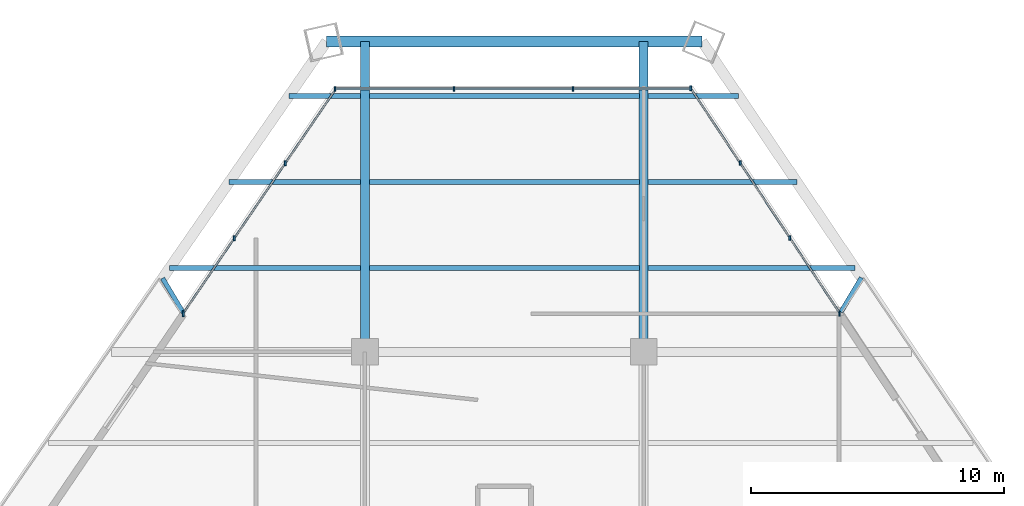
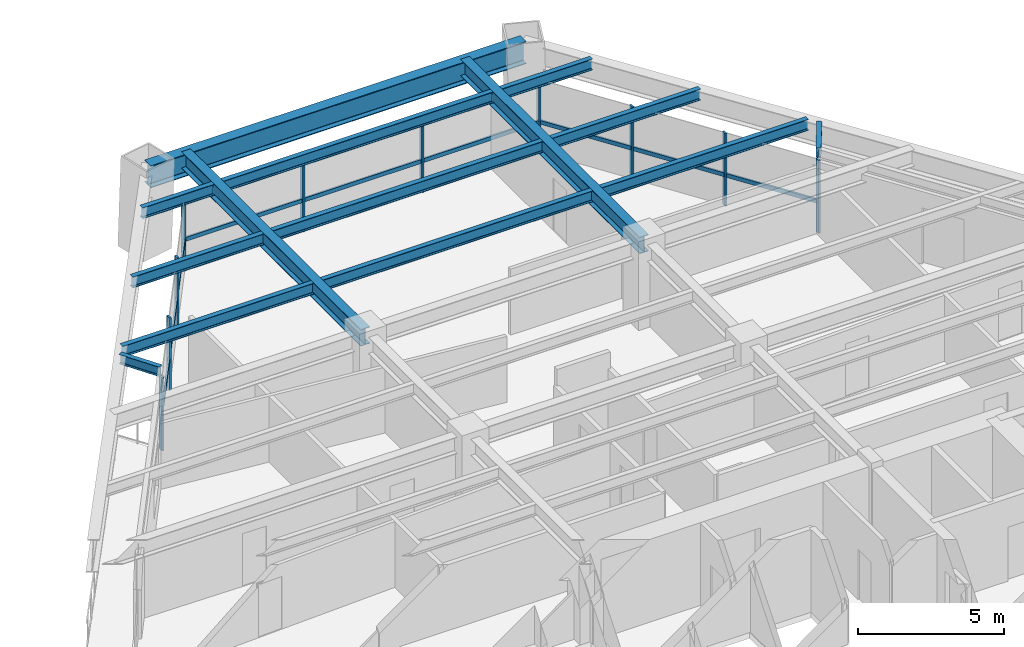
# One storey, part 8 of 14: 20 members, 14 beams, 3 elements without a shape of their own.
"""IFC4 building model written with IfcOpenShell, lengths in metres."""

from ifc_helpers import new_model, si_unit, direction, frame, origin, origin_2d, place, context, subcontext, project, spatial, rectangle, i_section, extrude, source, transform, mapped, material, material_profile, profile_set, type_object, type_shapes, element, aggregate, save


model = new_model("IFC4")

# Units and contexts
model_context = context("Model", 3, precision=1e-05, world=origin(), true_north=direction((0.0, 1.0)))
body_context = subcontext(model_context, "Body", "Model", "MODEL_VIEW")
ifc_project = project(units=[si_unit("LENGTHUNIT", "METRE"), si_unit("AREAUNIT", "SQUARE_METRE"), si_unit("VOLUMEUNIT", "CUBIC_METRE"), si_unit("PLANEANGLEUNIT", "RADIAN"), si_unit("MASSUNIT", "GRAM", prefix="KILO")], contexts=[model_context])

# Site, building, storey
site_placement = place(None, origin())
site = spatial("IfcSite", under=ifc_project, at=site_placement, CompositionType="ELEMENT")
building_placement = place(site_placement, origin())
building = spatial("IfcBuilding", under=site, at=building_placement, Name="Varnakhor Terracotta Tower", CompositionType="ELEMENT")
storey_placement = place(building_placement, frame((0.0, 0.0, 60.800048828125)))
storey = spatial("IfcBuildingStorey", under=building, at=storey_placement, Name="L14", CompositionType="ELEMENT", Elevation=60.800048828125)

# Beams
ifc_material_1 = material(Name="Steel S355", Category="steel")
ifc_material_profile_1 = material_profile(ifc_material_1, i_section(OverallWidth=0.19189453125, OverallDepth=0.462890625, WebThickness=0.010498046875, FlangeThickness=0.017578125, FilletRadius=0.01806640625, at=origin_2d()), Name="W18X60")
ifc_profile_set_1 = profile_set([ifc_material_profile_1], Name="Steel S355")
beam_type_1 = type_object("IfcBeamType", Name="JST-W18X60", PredefinedType="JOIST", material=ifc_profile_set_1)
shared_shape_1 = source(origin(), body_context, "Body", "SweptSolid", [
    extrude(i_section(OverallWidth=0.19189453125, OverallDepth=0.462890625, WebThickness=0.010498046875, FlangeThickness=0.017578125, FilletRadius=0.01806640625, at=origin_2d()), origin(), (0.0, 0.0, 1.0), 10.65283203125),
])
for number, where, z_axis, x_axis, name in (
    (1, (-5.326416015625, 34.800048828125, 3.218505859375), (1.0, 0.0, 0.0), (0.0, 1.0, 0.0), "L14 Composite Floor Joist 7-2"),
    (2, (-5.326416015625, 38.199951171875, 3.218505859375), (1.0, 0.0, 0.0), (0.0, 1.0, 0.0), "L14 Composite Floor Joist 8-2"),
    (3, (-5.326416015625, 41.60009765625, 3.218505859375), (1.0, 0.0, 0.0), (0.0, 1.0, 0.0), "L14 Composite Floor Joist 9-2"),
):
    element("IfcBeam", number, at=place(storey_placement, frame(where, z_axis=z_axis, x_axis=x_axis)), inside=storey, type_object=beam_type_1, Name=name, PredefinedType="JOIST", context=body_context, shape_type="MappedRepresentation", body=[
        mapped(shared_shape_1, transform((0.0, 0.0, 0.0), scale=1.0)),
    ])
ifc_material_profile_2 = material_profile(ifc_material_1, i_section(OverallWidth=0.41796875, OverallDepth=0.927001953125, WebThickness=0.01904296875, FlangeThickness=0.031982421875, FilletRadius=0.01806640625, at=origin_2d()), Name="W36X231")
ifc_profile_set_2 = profile_set([ifc_material_profile_2], Name="Steel S355")
beam_type_2 = type_object("IfcBeamType", Name="BM-W36X231", PredefinedType="BEAM", material=ifc_profile_set_2)
shared_shape_2 = source(origin(), body_context, "Body", "SweptSolid", [
    extrude(i_section(OverallWidth=0.41796875, OverallDepth=0.927001953125, WebThickness=0.01904296875, FlangeThickness=0.031982421875, FilletRadius=0.01806640625, at=origin_2d()), origin(), (0.0, 0.0, 1.0), 14.810546875),
])
beam_1_placement = place(storey_placement, frame((7.797119140625, 43.743896484375, 2.986572265625), z_axis=(-1.0, 0.0, 0.0), x_axis=(0.0, -1.0, 0.0)))
element("IfcBeam", 4, at=beam_1_placement, inside=storey, type_object=beam_type_2, Name="L14 Perimeter Spandrel 5", PredefinedType="BEAM", context=body_context, shape_type="MappedRepresentation", body=[
    mapped(shared_shape_2, transform((0.0, 0.0, 0.0), scale=1.0)),
])
ifc_material_profile_3 = material_profile(ifc_material_1, i_section(OverallWidth=0.35498046875, OverallDepth=0.695068359375, WebThickness=0.014892578125, FlangeThickness=0.02490234375, FilletRadius=0.01806640625, at=origin_2d()), Name="W27X146")
ifc_profile_set_3 = profile_set([ifc_material_profile_3], Name="Steel S355")
beam_type_3 = type_object("IfcBeamType", Name="BM-W27X146", PredefinedType="BEAM", material=ifc_profile_set_3)
shared_shape_3 = source(origin(), body_context, "Body", "SweptSolid", [
    extrude(i_section(OverallWidth=0.35498046875, OverallDepth=0.695068359375, WebThickness=0.014892578125, FlangeThickness=0.02490234375, FilletRadius=0.01806640625, at=origin_2d()), origin(), (0.0, 0.0, 1.0), 12.243896484375),
])
for number, where, z_axis, x_axis, name in (
    (5, (-5.5, 31.5, 3.1025390625), (0.0, 1.0, 0.0), (-1.0, 0.0, 0.0), "L14 Primary Girder NS3-W"),
    (6, (5.5, 31.5, 3.1025390625), (0.0, 1.0, 0.0), (-1.0, 0.0, 0.0), "L14 Primary Girder NS3-E"),
):
    element("IfcBeam", number, at=place(storey_placement, frame(where, z_axis=z_axis, x_axis=x_axis)), inside=storey, type_object=beam_type_3, Name=name, PredefinedType="BEAM", context=body_context, shape_type="MappedRepresentation", body=[
        mapped(shared_shape_3, transform((0.0, 0.0, 0.0), scale=1.0)),
    ])
shared_shape_4 = source(origin(), body_context, "Body", "SweptSolid", [
    extrude(i_section(OverallWidth=0.19189453125, OverallDepth=0.462890625, WebThickness=0.010498046875, FlangeThickness=0.017578125, FilletRadius=0.01806640625, at=origin_2d()), origin(), (0.0, 0.0, 1.0), 7.538818359375),
])
beam_2_placement = place(storey_placement, frame((-13.21240234375, 34.800048828125, 3.218505859375), z_axis=(1.0, 0.0, 0.0), x_axis=(0.0, 1.0, 0.0)))
element("IfcBeam", 7, at=beam_2_placement, inside=storey, type_object=beam_type_1, Name="L14 Composite Floor Joist 7-1", PredefinedType="JOIST", context=body_context, shape_type="MappedRepresentation", body=[
    mapped(shared_shape_4, transform((0.0, 0.0, 0.0), scale=1.0)),
])
shared_shape_5 = source(origin(), body_context, "Body", "SweptSolid", [
    extrude(i_section(OverallWidth=0.19189453125, OverallDepth=0.462890625, WebThickness=0.010498046875, FlangeThickness=0.017578125, FilletRadius=0.01806640625, at=origin_2d()), origin(), (0.0, 0.0, 1.0), 8.162109375),
])
beam_3_placement = place(storey_placement, frame((5.673583984375, 34.800048828125, 3.218505859375), z_axis=(1.0, 0.0, 0.0), x_axis=(0.0, 1.0, 0.0)))
element("IfcBeam", 8, at=beam_3_placement, inside=storey, type_object=beam_type_1, Name="L14 Composite Floor Joist 7-3", PredefinedType="JOIST", context=body_context, shape_type="MappedRepresentation", body=[
    mapped(shared_shape_5, transform((0.0, 0.0, 0.0), scale=1.0)),
])
shared_shape_6 = source(origin(), body_context, "Body", "SweptSolid", [
    extrude(i_section(OverallWidth=0.19189453125, OverallDepth=0.462890625, WebThickness=0.010498046875, FlangeThickness=0.017578125, FilletRadius=0.01806640625, at=origin_2d()), origin(), (0.0, 0.0, 1.0), 5.18212890625),
])
beam_4_placement = place(storey_placement, frame((-10.855712890625, 38.199951171875, 3.218505859375), z_axis=(1.0, 0.0, 0.0), x_axis=(0.0, 1.0, 0.0)))
element("IfcBeam", 9, at=beam_4_placement, inside=storey, type_object=beam_type_1, Name="L14 Composite Floor Joist 8-1", PredefinedType="JOIST", context=body_context, shape_type="MappedRepresentation", body=[
    mapped(shared_shape_6, transform((0.0, 0.0, 0.0), scale=1.0)),
])
shared_shape_7 = source(origin(), body_context, "Body", "SweptSolid", [
    extrude(i_section(OverallWidth=0.19189453125, OverallDepth=0.462890625, WebThickness=0.010498046875, FlangeThickness=0.017578125, FilletRadius=0.01806640625, at=origin_2d()), origin(), (0.0, 0.0, 1.0), 5.86669921875),
])
beam_5_placement = place(storey_placement, frame((5.673583984375, 38.199951171875, 3.218505859375), z_axis=(1.0, 0.0, 0.0), x_axis=(0.0, 1.0, 0.0)))
element("IfcBeam", 10, at=beam_5_placement, inside=storey, type_object=beam_type_1, Name="L14 Composite Floor Joist 8-3", PredefinedType="JOIST", context=body_context, shape_type="MappedRepresentation", body=[
    mapped(shared_shape_7, transform((0.0, 0.0, 0.0), scale=1.0)),
])
shared_shape_8 = source(origin(), body_context, "Body", "SweptSolid", [
    extrude(i_section(OverallWidth=0.19189453125, OverallDepth=0.462890625, WebThickness=0.010498046875, FlangeThickness=0.017578125, FilletRadius=0.01806640625, at=origin_2d()), origin(), (0.0, 0.0, 1.0), 2.82568359375),
])
beam_6_placement = place(storey_placement, frame((-8.499267578125, 41.60009765625, 3.218505859375), z_axis=(1.0, 0.0, 0.0), x_axis=(0.0, 1.0, 0.0)))
element("IfcBeam", 11, at=beam_6_placement, inside=storey, type_object=beam_type_1, Name="L14 Composite Floor Joist 9-1", PredefinedType="JOIST", context=body_context, shape_type="MappedRepresentation", body=[
    mapped(shared_shape_8, transform((0.0, 0.0, 0.0), scale=1.0)),
])
shared_shape_9 = source(origin(), body_context, "Body", "SweptSolid", [
    extrude(i_section(OverallWidth=0.19189453125, OverallDepth=0.462890625, WebThickness=0.010498046875, FlangeThickness=0.017578125, FilletRadius=0.01806640625, at=origin_2d()), origin(), (0.0, 0.0, 1.0), 3.571044921875),
])
beam_7_placement = place(storey_placement, frame((5.673583984375, 41.60009765625, 3.218505859375), z_axis=(1.0, 0.0, 0.0), x_axis=(0.0, 1.0, 0.0)))
element("IfcBeam", 12, at=beam_7_placement, inside=storey, type_object=beam_type_1, Name="L14 Composite Floor Joist 9-3", PredefinedType="JOIST", context=body_context, shape_type="MappedRepresentation", body=[
    mapped(shared_shape_9, transform((0.0, 0.0, 0.0), scale=1.0)),
])

# Curtain wall, members
ifc_material_2 = material(Name="Anodised Aluminium Curtain Wall System", Category="aluminium")
curtain_wall_type = type_object("IfcCurtainWallType", Name="CW-SYS-LOW-OFFICE", PredefinedType="NOTDEFINED", material=ifc_material_2)
curtain_wall_1_placement = place(storey_placement, origin())
curtain_wall_1 = element("IfcCurtainWall", 13, at=curtain_wall_1_placement, inside=storey, type_object=curtain_wall_type, Name="L14 W Facet Curtain Wall 2", PredefinedType="NOTDEFINED")
ifc_material_3 = material(Name="Anodised Aluminium 6063-T6", Category="aluminium")
ifc_material_profile_4 = material_profile(ifc_material_3, rectangle(XDim=0.074951171875, YDim=0.18505859375, at=origin_2d()), Name="ALU MULLION 75x185")
ifc_profile_set_4 = profile_set([ifc_material_profile_4], Name="Anodised Aluminium 6063-T6")
member_type_1 = type_object("IfcMemberType", Name="CWM-02", PredefinedType="MULLION", material=ifc_profile_set_4)
shared_shape_10 = source(origin(), body_context, "Body", "SweptSolid", [
    extrude(rectangle(XDim=0.074951171875, YDim=0.18505859375, at=origin_2d()), origin(), (0.0, 0.0, 1.0), 3.030029296875),
])
type_shapes(member_type_1, [shared_shape_10])
member_1_placement = place(storey_placement, frame((-12.6689453125, 33.02001953125, 0.0), z_axis=(0.0, 0.0, 1.0), x_axis=(1.0, 0.0, 0.0)))
member_1 = element("IfcMember", 14, at=member_1_placement, type_object=member_type_1, Name="L14 W Facet Curtain Wall 2 Mullion 1", PredefinedType="MULLION", context=body_context, shape_type="MappedRepresentation", body=[
    mapped(shared_shape_10, transform((0.0, 0.0, 0.0), scale=1.0)),
])
member_2_placement = place(storey_placement, frame((-10.656005859375, 35.98046875, 0.0), z_axis=(0.0, 0.0, 1.0), x_axis=(1.0, 0.0, 0.0)))
member_2 = element("IfcMember", 15, at=member_2_placement, type_object=member_type_1, Name="L14 W Facet Curtain Wall 2 Mullion 2", PredefinedType="MULLION", context=body_context, shape_type="MappedRepresentation", body=[
    mapped(shared_shape_10, transform((0.0, 0.0, 0.0), scale=1.0)),
])
member_3_placement = place(storey_placement, frame((-8.642822265625, 38.940673828125, 0.0), z_axis=(0.0, 0.0, 1.0), x_axis=(1.0, 0.0, 0.0)))
member_3 = element("IfcMember", 16, at=member_3_placement, type_object=member_type_1, Name="L14 W Facet Curtain Wall 2 Mullion 3", PredefinedType="MULLION", context=body_context, shape_type="MappedRepresentation", body=[
    mapped(shared_shape_10, transform((0.0, 0.0, 0.0), scale=1.0)),
])
member_4_placement = place(storey_placement, frame((-12.66943359375, 32.98388671875, 0.0), z_axis=(0.0, 0.0, 1.0), x_axis=(1.0, 0.0, 0.0)))
member_4 = element("IfcMember", 17, at=member_4_placement, type_object=member_type_1, Name="L14 W Loggia Jamb Closure Mullion 2", PredefinedType="MULLION", context=body_context, shape_type="MappedRepresentation", body=[
    mapped(shared_shape_10, transform((0.0, 0.0, 0.0), scale=1.0)),
])

curtain_wall_2_placement = place(storey_placement, origin())
curtain_wall_2 = element("IfcCurtainWall", 18, at=curtain_wall_2_placement, inside=storey, type_object=curtain_wall_type, Name="L14 Facet Curtain Wall 2", PredefinedType="NOTDEFINED")
member_5_placement = place(storey_placement, frame((-6.681884765625, 41.873291015625, 0.0), z_axis=(0.0, 0.0, 1.0), x_axis=(1.0, 0.0, 0.0)))
member_5 = element("IfcMember", 19, at=member_5_placement, type_object=member_type_1, Name="L14 Facet Curtain Wall 2 Mullion 1", PredefinedType="MULLION", context=body_context, shape_type="MappedRepresentation", body=[
    mapped(shared_shape_10, transform((0.0, 0.0, 0.0), scale=1.0)),
])
member_6_placement = place(storey_placement, frame((-1.987060546875, 41.873291015625, 0.0), z_axis=(0.0, 0.0, 1.0), x_axis=(1.0, 0.0, 0.0)))
member_6 = element("IfcMember", 20, at=member_6_placement, type_object=member_type_1, Name="L14 Facet Curtain Wall 2 Mullion 2", PredefinedType="MULLION", context=body_context, shape_type="MappedRepresentation", body=[
    mapped(shared_shape_10, transform((0.0, 0.0, 0.0), scale=1.0)),
])
member_7_placement = place(storey_placement, frame((2.707763671875, 41.873291015625, 0.0), z_axis=(0.0, 0.0, 1.0), x_axis=(1.0, 0.0, 0.0)))
member_7 = element("IfcMember", 21, at=member_7_placement, type_object=member_type_1, Name="L14 Facet Curtain Wall 2 Mullion 3", PredefinedType="MULLION", context=body_context, shape_type="MappedRepresentation", body=[
    mapped(shared_shape_10, transform((0.0, 0.0, 0.0), scale=1.0)),
])

curtain_wall_3_placement = place(storey_placement, origin())
curtain_wall_3 = element("IfcCurtainWall", 22, at=curtain_wall_3_placement, inside=storey, type_object=curtain_wall_type, Name="L14 E Facet Curtain Wall 1", PredefinedType="NOTDEFINED")
member_8_placement = place(storey_placement, frame((7.34912109375, 41.902099609375, 0.0), z_axis=(0.0, 0.0, 1.0), x_axis=(1.0, 0.0, 0.0)))
member_8 = element("IfcMember", 23, at=member_8_placement, type_object=member_type_1, Name="L14 E Facet Curtain Wall 1 Mullion 1", PredefinedType="MULLION", context=body_context, shape_type="MappedRepresentation", body=[
    mapped(shared_shape_10, transform((0.0, 0.0, 0.0), scale=1.0)),
])
member_9_placement = place(storey_placement, frame((9.3076171875, 38.947509765625, 0.0), z_axis=(0.0, 0.0, 1.0), x_axis=(1.0, 0.0, 0.0)))
member_9 = element("IfcMember", 24, at=member_9_placement, type_object=member_type_1, Name="L14 E Facet Curtain Wall 1 Mullion 2", PredefinedType="MULLION", context=body_context, shape_type="MappedRepresentation", body=[
    mapped(shared_shape_10, transform((0.0, 0.0, 0.0), scale=1.0)),
])
member_10_placement = place(storey_placement, frame((11.26611328125, 35.992919921875, 0.0), z_axis=(0.0, 0.0, 1.0), x_axis=(1.0, 0.0, 0.0)))
member_10 = element("IfcMember", 25, at=member_10_placement, type_object=member_type_1, Name="L14 E Facet Curtain Wall 1 Mullion 3", PredefinedType="MULLION", context=body_context, shape_type="MappedRepresentation", body=[
    mapped(shared_shape_10, transform((0.0, 0.0, 0.0), scale=1.0)),
])
member_11_placement = place(storey_placement, frame((13.224609375, 33.002197265625, 0.0), z_axis=(0.0, 0.0, 1.0), x_axis=(1.0, 0.0, 0.0)))
member_11 = element("IfcMember", 26, at=member_11_placement, type_object=member_type_1, Name="L14 E Loggia Jamb Closure Mullion 1", PredefinedType="MULLION", context=body_context, shape_type="MappedRepresentation", body=[
    mapped(shared_shape_10, transform((0.0, 0.0, 0.0), scale=1.0)),
])

# Member
ifc_material_profile_5 = material_profile(ifc_material_3, rectangle(XDim=0.074951171875, YDim=0.1650390625, at=origin_2d()), Name="ALU TRANSOM 75x165")
ifc_profile_set_5 = profile_set([ifc_material_profile_5], Name="Anodised Aluminium 6063-T6")
member_type_2 = type_object("IfcMemberType", Name="CWT-02", PredefinedType="USERDEFINED", material=ifc_profile_set_5)
shared_shape_11 = source(origin(), body_context, "Body", "SweptSolid", [
    extrude(rectangle(XDim=0.074951171875, YDim=0.1650390625, at=origin_2d()), origin(), (0.0, 0.0, 1.0), 3.579833984375),
])
member_12_placement = place(storey_placement, frame((-10.656005859375, 35.98046875, 1.2724609375), z_axis=(0.562356654477, 0.826894789659, 0.0), x_axis=(-0.826894789659, 0.562356654477, 0.0)))
member_12 = element("IfcMember", 27, at=member_12_placement, type_object=member_type_2, Name="L14 W Facet Curtain Wall 2 Transom 2", ObjectType="TRANSOM", PredefinedType="USERDEFINED", context=body_context, shape_type="MappedRepresentation", body=[
    mapped(shared_shape_11, transform((0.0, 0.0, 0.0), scale=1.0)),
])

shared_shape_12 = source(origin(), body_context, "Body", "SweptSolid", [
    extrude(rectangle(XDim=0.074951171875, YDim=0.1650390625, at=origin_2d()), origin(), (0.0, 0.0, 1.0), 3.580078125),
])
member_13_placement = place(storey_placement, frame((-12.6689453125, 33.02001953125, 1.2724609375), z_axis=(0.562278310471, 0.826948064617, 0.0), x_axis=(-0.826948064617, 0.562278310471, 0.0)))
member_13 = element("IfcMember", 28, at=member_13_placement, type_object=member_type_2, Name="L14 W Facet Curtain Wall 2 Transom 1", ObjectType="TRANSOM", PredefinedType="USERDEFINED", context=body_context, shape_type="MappedRepresentation", body=[
    mapped(shared_shape_12, transform((0.0, 0.0, 0.0), scale=1.0)),
])

member_14_placement = place(storey_placement, frame((-8.642822265625, 38.940673828125, 1.2724609375), z_axis=(0.562324943343, 0.826916354957, 0.0), x_axis=(-0.826916354957, 0.562324943343, 0.0)))
member_14 = element("IfcMember", 29, at=member_14_placement, type_object=member_type_2, Name="L14 W Facet Curtain Wall 2 Transom 3", ObjectType="TRANSOM", PredefinedType="USERDEFINED", context=body_context, shape_type="MappedRepresentation", body=[
    mapped(shared_shape_12, transform((0.0, 0.0, 0.0), scale=1.0)),
])

aggregate(curtain_wall_1, [member_1, member_13, member_2, member_12, member_3, member_14, member_4])

shared_shape_13 = source(origin(), body_context, "Body", "SweptSolid", [
    extrude(rectangle(XDim=0.074951171875, YDim=0.1650390625, at=origin_2d()), origin(), (0.0, 0.0, 1.0), 4.69482421875),
])
member_15_placement = place(storey_placement, frame((-6.681884765625, 41.873291015625, 1.2724609375), z_axis=(1.0, 0.0, 0.0), x_axis=(0.0, 1.0, 0.0)))
member_15 = element("IfcMember", 30, at=member_15_placement, type_object=member_type_2, Name="L14 Facet Curtain Wall 2 Transom 1", ObjectType="TRANSOM", PredefinedType="USERDEFINED", context=body_context, shape_type="MappedRepresentation", body=[
    mapped(shared_shape_13, transform((0.0, 0.0, 0.0), scale=1.0)),
])

member_16_placement = place(storey_placement, frame((-1.987060546875, 41.873291015625, 1.2724609375), z_axis=(1.0, 0.0, 0.0), x_axis=(0.0, 1.0, 0.0)))
member_16 = element("IfcMember", 31, at=member_16_placement, type_object=member_type_2, Name="L14 Facet Curtain Wall 2 Transom 2", ObjectType="TRANSOM", PredefinedType="USERDEFINED", context=body_context, shape_type="MappedRepresentation", body=[
    mapped(shared_shape_13, transform((0.0, 0.0, 0.0), scale=1.0)),
])

member_17_placement = place(storey_placement, frame((2.707763671875, 41.873291015625, 1.2724609375), z_axis=(1.0, 0.0, 0.0), x_axis=(0.0, 1.0, 0.0)))
member_17 = element("IfcMember", 32, at=member_17_placement, type_object=member_type_2, Name="L14 Facet Curtain Wall 2 Transom 3", ObjectType="TRANSOM", PredefinedType="USERDEFINED", context=body_context, shape_type="MappedRepresentation", body=[
    mapped(shared_shape_13, transform((0.0, 0.0, 0.0), scale=1.0)),
])

aggregate(curtain_wall_2, [member_5, member_15, member_6, member_16, member_7, member_17])

shared_shape_14 = source(origin(), body_context, "Body", "SweptSolid", [
    extrude(rectangle(XDim=0.074951171875, YDim=0.1650390625, at=origin_2d()), origin(), (0.0, 0.0, 1.0), 3.544677734375),
])
member_18_placement = place(storey_placement, frame((7.34912109375, 41.902099609375, 1.2724609375), z_axis=(0.552504906136, -0.833509645233, 0.0), x_axis=(0.833509645233, 0.552504906136, 0.0)))
member_18 = element("IfcMember", 33, at=member_18_placement, type_object=member_type_2, Name="L14 E Facet Curtain Wall 1 Transom 1", ObjectType="TRANSOM", PredefinedType="USERDEFINED", context=body_context, shape_type="MappedRepresentation", body=[
    mapped(shared_shape_14, transform((0.0, 0.0, 0.0), scale=1.0)),
])

member_19_placement = place(storey_placement, frame((9.3076171875, 38.947509765625, 1.2724609375), z_axis=(0.552504906136, -0.833509645233, 0.0), x_axis=(0.833509645233, 0.552504906136, 0.0)))
member_19 = element("IfcMember", 34, at=member_19_placement, type_object=member_type_2, Name="L14 E Facet Curtain Wall 1 Transom 2", ObjectType="TRANSOM", PredefinedType="USERDEFINED", context=body_context, shape_type="MappedRepresentation", body=[
    mapped(shared_shape_14, transform((0.0, 0.0, 0.0), scale=1.0)),
])

shared_shape_15 = source(origin(), body_context, "Body", "SweptSolid", [
    extrude(rectangle(XDim=0.074951171875, YDim=0.1650390625, at=origin_2d()), origin(), (0.0, 0.0, 1.0), 3.544921875),
])
member_20_placement = place(storey_placement, frame((11.26611328125, 35.992919921875, 1.2724609375), z_axis=(0.552473189962, -0.833530667926, 0.0), x_axis=(0.833530667926, 0.552473189962, 0.0)))
member_20 = element("IfcMember", 35, at=member_20_placement, type_object=member_type_2, Name="L14 E Facet Curtain Wall 1 Transom 3", ObjectType="TRANSOM", PredefinedType="USERDEFINED", context=body_context, shape_type="MappedRepresentation", body=[
    mapped(shared_shape_15, transform((0.0, 0.0, 0.0), scale=1.0)),
])

aggregate(curtain_wall_3, [member_8, member_18, member_9, member_19, member_10, member_20, member_11])

# Beams
ifc_material_profile_6 = material_profile(ifc_material_1, i_section(OverallWidth=0.179931640625, OverallDepth=0.39990234375, WebThickness=0.008544921875, FlangeThickness=0.013427734375, FilletRadius=0.01806640625, at=origin_2d()), Name="IPE400")
ifc_profile_set_6 = profile_set([ifc_material_profile_6], Name="Steel S355")
beam_type_4 = type_object("IfcBeamType", Name="JST-IPE400", PredefinedType="JOIST", material=ifc_profile_set_6)
shared_shape_16 = source(origin(), body_context, "Body", "SweptSolid", [
    extrude(i_section(OverallWidth=0.179931640625, OverallDepth=0.39990234375, WebThickness=0.008544921875, FlangeThickness=0.013427734375, FilletRadius=0.01806640625, at=origin_2d()), origin(), (0.0, 0.0, 1.0), 1.580322265625),
])
beam_8_placement = place(storey_placement, frame((-12.674560546875, 33.04736328125, 3.25), z_axis=(-0.514427599642, 0.8575338155, 0.0), x_axis=(-0.8575338155, -0.514427599642, 0.0)))
element("IfcBeam", 36, at=beam_8_placement, inside=storey, type_object=beam_type_4, Name="L15 W Loggia Tie Beam 2", PredefinedType="JOIST", context=body_context, shape_type="MappedRepresentation", body=[
    mapped(shared_shape_16, transform((0.0, 0.0, 0.0), scale=1.0)),
])
shared_shape_17 = source(origin(), body_context, "Body", "SweptSolid", [
    extrude(i_section(OverallWidth=0.179931640625, OverallDepth=0.39990234375, WebThickness=0.008544921875, FlangeThickness=0.013427734375, FilletRadius=0.01806640625, at=origin_2d()), origin(), (0.0, 0.0, 1.0), 1.580810546875),
])
beam_9_placement = place(storey_placement, frame((13.27880859375, 33.06591796875, 3.25), z_axis=(0.513700571293, 0.857969535038, 0.0), x_axis=(-0.857969535038, 0.513700571293, 0.0)))
element("IfcBeam", 37, at=beam_9_placement, inside=storey, type_object=beam_type_4, Name="L15 E Loggia Tie Beam 1", PredefinedType="JOIST", context=body_context, shape_type="MappedRepresentation", body=[
    mapped(shared_shape_17, transform((0.0, 0.0, 0.0), scale=1.0)),
])

save(model, "model.ifc")
